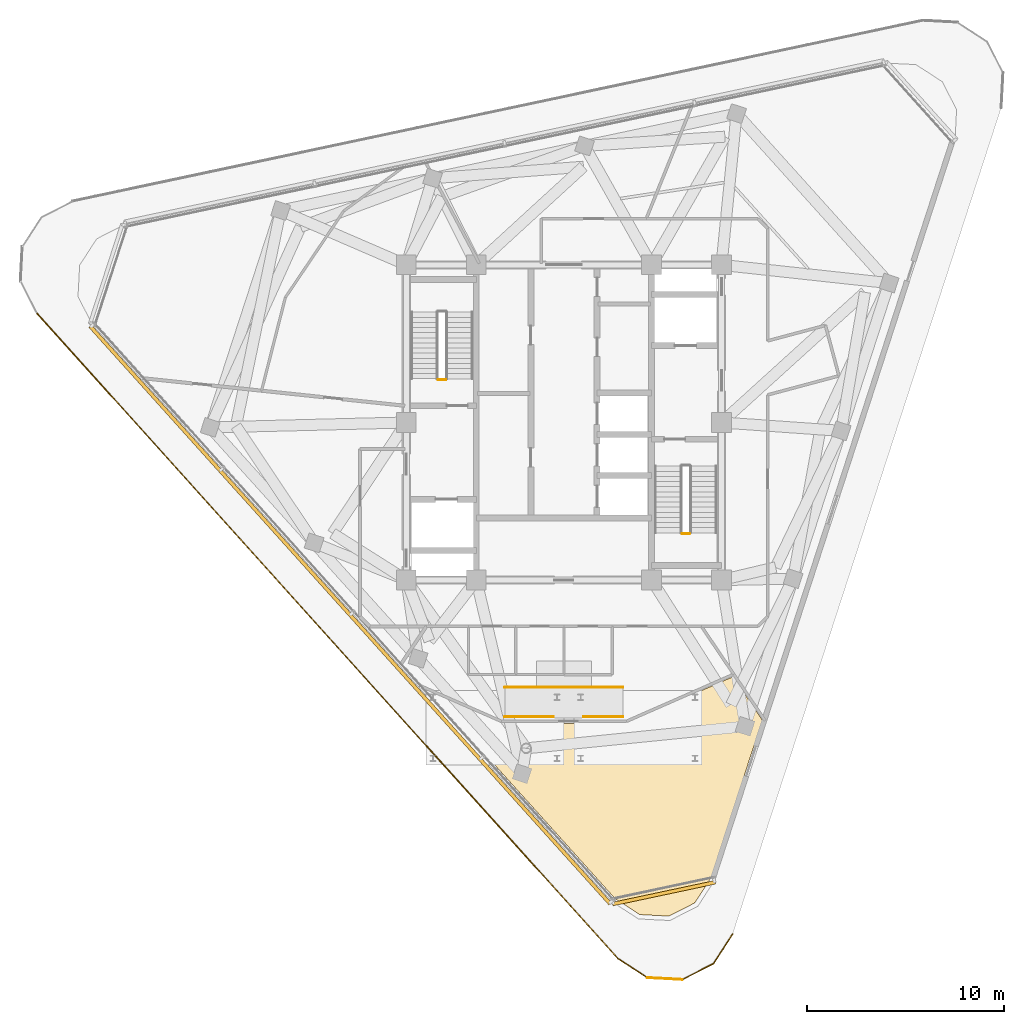
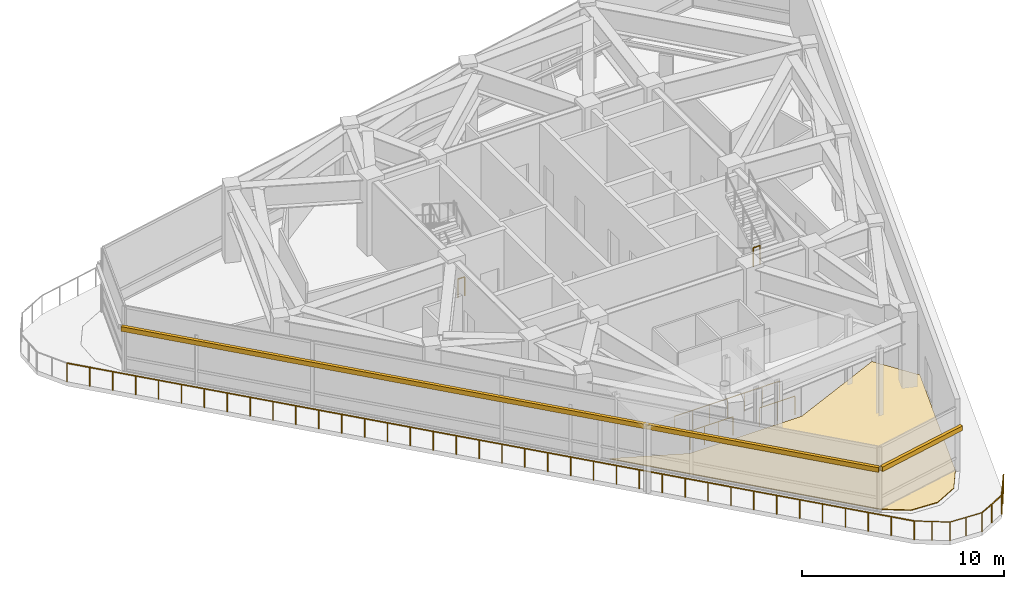
# One storey, part 12 of 15: 10 railings, 2 shading devices, 1 covering.
"""IFC4 building model written with IfcOpenShell, lengths in metres."""

import ifcopenshell
import ifcopenshell.guid

model = None  # the IFC model being written
_history = None  # IfcOwnerHistory: only IFC2X3 demands one
_inside = {}  # id of a spatial element -> (the spatial element, [elements in it])
_under = {}  # id of a project, library or spatial element -> (it, [spatial elements below it])
_declared = {}  # id of a project -> (the project, [libraries it declares])
_typed = {}  # id of a type object -> (the type object, [elements of that type])
_made_of = {}  # id of a material, layer set ... -> (it, [elements and type objects made of it])


def new_model(schema):
    """Start an empty IFC model of exactly this schema.

    Asked for "IFC4X3", IfcOpenShell would pick the latest addendum, in which some entities
    have other attributes; the version numbers below select the first issue.
    IFC2X3 requires an IfcOwnerHistory on every rooted entity: one is made here for all.
    """
    global model, _history
    if schema == "IFC4X3":
        model = ifcopenshell.file(schema_version=(4, 3, 0, 0))
    else:
        model = ifcopenshell.file(schema=schema)
    _inside.clear()
    _under.clear()
    _declared.clear()
    _typed.clear()
    _made_of.clear()
    _history = None
    if model.schema == "IFC2X3":
        org = make("IfcOrganization", Name="unknown")
        user = make(
            "IfcPersonAndOrganization",
            ThePerson=make("IfcPerson", FamilyName="unknown"),
            TheOrganization=org,
        )
        app = make(
            "IfcApplication",
            ApplicationDeveloper=org,
            Version="unknown",
            ApplicationFullName="unknown",
            ApplicationIdentifier="unknown",
        )
        _history = make(
            "IfcOwnerHistory",
            OwningUser=user,
            OwningApplication=app,
            ChangeAction="ADDED",
            CreationDate=0,
        )
    return model


def make(cls, **values):
    """One entity of the class cls with the attributes given. An attribute that is None is left unset."""
    return model.create_entity(
        cls, **{name: value for name, value in values.items() if value is not None}
    )


def rooted(cls, **values):
    """An entity with a GlobalId (a new one), such as an element, a storey or a relation."""
    return make(cls, GlobalId=ifcopenshell.guid.new(), OwnerHistory=_history, **values)


def si_unit(unit_type, name, prefix=None):
    """IfcSIUnit, for example si_unit("LENGTHUNIT", "METRE", prefix="MILLI")."""
    return make("IfcSIUnit", UnitType=unit_type, Prefix=prefix, Name=name)


def assignment(units):
    """IfcUnitAssignment: the units of a project."""
    return None if units is None else make("IfcUnitAssignment", Units=units)


def point(xyz):
    """IfcCartesianPoint."""
    return None if xyz is None else make("IfcCartesianPoint", Coordinates=xyz)


def direction(xyz):
    """IfcDirection."""
    return None if xyz is None else make("IfcDirection", DirectionRatios=xyz)


def frame(location, z_axis=None, x_axis=None):
    """IfcAxis2Placement3D, a coordinate frame: its origin and axes. An axis left out is left unset."""
    return make(
        "IfcAxis2Placement3D",
        Location=point(location),
        Axis=direction(z_axis),
        RefDirection=direction(x_axis),
    )


def frame_2d(location, x_axis=None):
    """IfcAxis2Placement2D, a coordinate frame in the plane: its origin and x axis."""
    return make(
        "IfcAxis2Placement2D", Location=point(location), RefDirection=direction(x_axis)
    )


def origin():
    """The frame at (0, 0, 0) with its axes left unset."""
    return frame((0.0, 0.0, 0.0))


def origin_2d():
    """The frame at (0, 0) in the plane with its x axis left unset."""
    return frame_2d((0.0, 0.0))


def place(relative_to, where):
    """IfcLocalPlacement: puts the frame where relative to a parent placement (None: the world)."""
    return make(
        "IfcLocalPlacement", PlacementRelTo=relative_to, RelativePlacement=where
    )


def context(
    kind, dimensions, precision=None, world=None, true_north=None, identifier=None
):
    """IfcGeometricRepresentationContext, for example the 3D "Model" context."""
    return make(
        "IfcGeometricRepresentationContext",
        ContextIdentifier=identifier,
        ContextType=kind,
        CoordinateSpaceDimension=dimensions,
        Precision=precision,
        WorldCoordinateSystem=world,
        TrueNorth=true_north,
    )


def subcontext(parent, identifier, kind, view, scale=None):
    """IfcGeometricRepresentationSubContext, for example "Body" below "Model"."""
    return make(
        "IfcGeometricRepresentationSubContext",
        ContextIdentifier=identifier,
        ContextType=kind,
        ParentContext=parent,
        TargetScale=scale,
        TargetView=view,
    )


def project(units=None, contexts=None):
    """IfcProject with its units and contexts."""
    return rooted(
        "IfcProject",
        Name="project",
        RepresentationContexts=contexts,
        UnitsInContext=assignment(units),
    )


def spatial(cls, under=None, at=None, **own):
    """A site, building, storey or space (cls), placed at a placement, below another one or the project."""
    s = rooted(cls, ObjectPlacement=at, **own)
    if under is not None:
        _under.setdefault(under.id(), (under, []))[1].append(s)
    return s


def polyline(points):
    """IfcPolyline through the points."""
    return make("IfcPolyline", Points=[point(p) for p in points])


def profile(cls, at=None, kind="AREA", **sizes):
    """A parametric profile (cls). Its sizes go by their IFC names, for example OverallWidth=200.0."""
    return make(cls, ProfileType=kind, Position=at, **sizes)


def rectangle(**sizes):
    """IfcRectangleProfileDef."""
    return profile("IfcRectangleProfileDef", **sizes)


def circle(**sizes):
    """IfcCircleProfileDef."""
    return profile("IfcCircleProfileDef", **sizes)


def outline(outer, holes=None, kind="AREA"):
    """IfcArbitraryClosedProfileDef: a profile drawn as a closed curve; with holes, ...WithVoids."""
    if holes is None:
        return make("IfcArbitraryClosedProfileDef", ProfileType=kind, OuterCurve=outer)
    return make(
        "IfcArbitraryProfileDefWithVoids",
        ProfileType=kind,
        OuterCurve=outer,
        InnerCurves=holes,
    )


def extrude(swept, where, along, depth):
    """IfcExtrudedAreaSolid: the profile swept, set in the frame where, extruded along a direction by depth."""
    return make(
        "IfcExtrudedAreaSolid",
        SweptArea=swept,
        Position=where,
        ExtrudedDirection=direction(along),
        Depth=depth,
    )


def shape(context_of_items, identifier, shape_type, items):
    """IfcShapeRepresentation: the items that make up one representation, for example the "Body"."""
    return make(
        "IfcShapeRepresentation",
        ContextOfItems=context_of_items,
        RepresentationIdentifier=identifier,
        RepresentationType=shape_type,
        Items=items,
    )


def material(Name=None, Category=None):
    """IfcMaterial."""
    return make("IfcMaterial", Name=Name, Category=Category)


def layer(
    of_material, thickness, ventilated=None, Name=None, Category=None, Priority=None
):
    """IfcMaterialLayer: one layer of a wall or slab, of a material (None: an air gap)."""
    return make(
        "IfcMaterialLayer",
        Material=of_material,
        LayerThickness=thickness,
        IsVentilated=ventilated,
        Name=Name,
        Category=Category,
        Priority=Priority,
    )


def layer_set(layers, Name=None):
    """IfcMaterialLayerSet."""
    return make("IfcMaterialLayerSet", MaterialLayers=layers, LayerSetName=Name)


def made_of(thing, what):
    """Note that an element or type object is made of a material, layer set ...; save() writes the relation."""
    if what is not None:
        _made_of.setdefault(what.id(), (what, []))[1].append(thing)
    return thing


def type_object(cls, material=None, **own):
    """A type object (cls), such as IfcWallType, which elements share."""
    return made_of(rooted(cls, **own), material)


def element(
    cls,
    number,
    at=None,
    inside=None,
    cuts=None,
    type_object=None,
    material=None,
    context=None,
    identifier="Body",
    shape_type=None,
    held_by="IfcProductDefinitionShape",
    body=None,
    shapes=None,
    **own,
):
    """One element of the class cls, such as IfcWall. Its Tag is "e" and its number.

    at: its placement. inside: the storey or other place that contains it. cuts: it is an
    opening in that element (IfcRelVoidsElement). A single representation is given by context,
    identifier, shape_type and body (its items); several are given by shapes. held_by: the class
    of the entity that holds the representations. save() writes the other relations.
    """
    e = rooted(cls, Tag="e%d" % number, ObjectPlacement=at, **own)
    if body is not None:
        shapes = [shape(context, identifier, shape_type, body)]
    if shapes is not None:
        e.Representation = make(held_by, Representations=shapes)
    if inside is not None:
        _inside.setdefault(inside.id(), (inside, []))[1].append(e)
    if cuts is not None:
        rooted(
            "IfcRelVoidsElement", RelatingBuildingElement=cuts, RelatedOpeningElement=e
        )
    if type_object is not None:
        _typed.setdefault(type_object.id(), (type_object, []))[1].append(e)
    return made_of(e, material)


def aggregate(whole, parts):
    """IfcRelAggregates: a whole, such as a stair, and the parts it consists of."""
    return rooted("IfcRelAggregates", RelatingObject=whole, RelatedObjects=parts)


def save(model, path):
    """Write the relations noted so far, then the file.

    IfcRelAggregates (storeys below a building ...), IfcRelContainedInSpatialStructure (elements
    in a storey), IfcRelDefinesByType, IfcRelAssociatesMaterial and IfcRelDeclares: one each for
    every whole, place, type object, material and project.
    """
    for whole, parts in _under.values():
        aggregate(whole, parts)
    for where, things in _inside.values():
        rooted(
            "IfcRelContainedInSpatialStructure",
            RelatedElements=things,
            RelatingStructure=where,
        )
    for kind, things in _typed.values():
        rooted("IfcRelDefinesByType", RelatedObjects=things, RelatingType=kind)
    for what, things in _made_of.values():
        rooted("IfcRelAssociatesMaterial", RelatedObjects=things, RelatingMaterial=what)
    for by, libraries in _declared.values():
        rooted("IfcRelDeclares", RelatingContext=by, RelatedDefinitions=libraries)
    model.write(path)


model = new_model("IFC4")

# Units and contexts
model_context = context("Model", 3, precision=1e-05, world=origin(), true_north=direction((0.0, 1.0)))
body_context = subcontext(model_context, "Body", "Model", "MODEL_VIEW")
ifc_project = project(units=[si_unit("LENGTHUNIT", "METRE"), si_unit("AREAUNIT", "SQUARE_METRE"), si_unit("VOLUMEUNIT", "CUBIC_METRE"), si_unit("PLANEANGLEUNIT", "RADIAN"), si_unit("MASSUNIT", "GRAM", prefix="KILO")], contexts=[model_context])

# Site, building, storey
site_placement = place(None, origin())
site = spatial("IfcSite", under=ifc_project, at=site_placement, CompositionType="ELEMENT")
building_placement = place(site_placement, origin())
building = spatial("IfcBuilding", under=site, at=building_placement, Name="Terralouvre Media Tower", CompositionType="ELEMENT")
storey_placement = place(building_placement, frame((0.0, 0.0, 312.800048828125)))
storey = spatial("IfcBuildingStorey", under=building, at=storey_placement, Name="L81", CompositionType="ELEMENT", Elevation=312.800048828125)

# Covering
ifc_material_1 = material(Name="Resilient elastomer acoustic broadcast studio flooring")
ifc_layer_1 = layer(ifc_material_1, 0.050048828125, Name="Broadcast Studio Acoustic Floating Floor FL-AC1")
ifc_layer_set_1 = layer_set([ifc_layer_1], Name="Resilient elastomer acoustic broadcast studio flooring")
covering_type = type_object("IfcCoveringType", Name="Broadcast Studio Acoustic Floating Floor FL-AC1", PredefinedType="FLOORING", material=ifc_layer_set_1)
covering_placement = place(storey_placement, frame((0.0, 0.0, 0.0), z_axis=(0.0, 0.0, 1.0), x_axis=(0.309016994375, 0.951056516295, 0.0)))
element("IfcCovering", 1, at=covering_placement, inside=storey, type_object=covering_type, Name="L81 Crown Botanical Conservatory Garden 4 Acoustic Floating Floor", PredefinedType="FLOORING", context=body_context, shape_type="SweptSolid", body=[
    extrude(outline(polyline([(-13.520751953125, -7.778076171875), (-13.52734375, -7.77001953125), (-13.532958984375, -7.76123046875), (-13.53759765625, -7.751953125), (-13.541259765625, -7.742431640625), (-15.505859375, -1.695556640625), (-15.508544921875, -1.685546875), (-15.51025390625, -1.675537109375), (-15.5107421875, -1.6650390625), (-15.51025390625, -1.65478515625), (-15.116943359375, 2.307861328125), (-22.182373046875, -9.93017578125), (-22.572021484375, -11.38525390625), (-22.189697265625, -12.8115234375), (-21.146484375, -13.85546875), (-19.69140625, -14.2451171875), (-11.25634765625, -14.245361328125), (-9.623779296875, -12.15576171875), (-13.520751953125, -7.778076171875)])), origin(), (0.0, 0.0, 1.0), 0.050048828125),
])

# Railings
ifc_material_2 = material(Name="Stainless steel 316 handrail and balustrade", Category="steel")
ifc_layer_2 = layer(ifc_material_2, 0.06005859375, Name="Roof Edge Safety Guardrail GR-ROOF1")
ifc_layer_set_2 = layer_set([ifc_layer_2], Name="Stainless steel 316 handrail and balustrade")
railing_type_1 = type_object("IfcRailingType", Name="Roof Edge Safety Guardrail GR-ROOF1", PredefinedType="GUARDRAIL", material=ifc_layer_set_2)
railing_1_placement = place(storey_placement, frame((2.73974609375, -27.2177734375, 0.0)))
element("IfcRailing", 2, at=railing_1_placement, inside=storey, type_object=railing_type_1, Name="L81 Crown Roof Garden Perimeter Balustrade Edge 01", PredefinedType="GUARDRAIL", context=body_context, shape_type="SweptSolid", body=[
    extrude(circle(Radius=0.02392578125, at=origin_2d()), frame((0.0, 0.0, 1.1259765625), z_axis=(0.838634635973, -0.544694361406, 0.0), x_axis=(0.544694361406, 0.838634635973, 0.0)), (0.0, 0.0, 1.0), 1.78076171875),
    extrude(circle(Radius=0.02099609375, at=origin_2d()), origin(), (0.0, 0.0, 1.0), 1.101806640625),
    extrude(circle(Radius=0.02099609375, at=origin_2d()), frame((0.74658203125, -0.48486328125, 0.0)), (0.0, 0.0, 1.0), 1.101806640625),
    extrude(circle(Radius=0.02099609375, at=origin_2d()), frame((1.493408203125, -0.969970703125, 0.0)), (0.0, 0.0, 1.0), 1.101806640625),
])
railing_2_placement = place(storey_placement, frame((4.233154296875, -28.187744140625, 0.0)))
element("IfcRailing", 3, at=railing_2_placement, inside=storey, type_object=railing_type_1, Name="L81 Crown Roof Garden Perimeter Balustrade Edge 02", PredefinedType="GUARDRAIL", context=body_context, shape_type="SweptSolid", body=[
    extrude(circle(Radius=0.02392578125, at=origin_2d()), frame((0.0, 0.0, 1.1259765625), z_axis=(0.99863444547, -0.052242169947, 0.0), x_axis=(0.052242169947, 0.99863444547, 0.0)), (0.0, 0.0, 1.0), 1.780517578125),
    extrude(circle(Radius=0.02099609375, at=origin_2d()), origin(), (0.0, 0.0, 1.0), 1.101806640625),
    extrude(circle(Radius=0.02099609375, at=origin_2d()), frame((0.88916015625, -0.04638671875, 0.0)), (0.0, 0.0, 1.0), 1.101806640625),
    extrude(circle(Radius=0.02099609375, at=origin_2d()), frame((1.778076171875, -0.093017578125, 0.0)), (0.0, 0.0, 1.0), 1.101806640625),
])
railing_3_placement = place(storey_placement, frame((6.01123046875, -28.28076171875, 0.0)))
element("IfcRailing", 4, at=railing_3_placement, inside=storey, type_object=railing_type_1, Name="L81 Crown Roof Garden Perimeter Balustrade Edge 03", PredefinedType="GUARDRAIL", context=body_context, shape_type="SweptSolid", body=[
    extrude(circle(Radius=0.02392578125, at=origin_2d()), frame((0.0, 0.0, 1.1259765625), z_axis=(0.891029033742, 0.453946319545, 0.0), x_axis=(-0.453946319545, 0.891029033742, 0.0)), (0.0, 0.0, 1.0), 1.78076171875),
    extrude(circle(Radius=0.02099609375, at=origin_2d()), origin(), (0.0, 0.0, 1.0), 1.101806640625),
    extrude(circle(Radius=0.02099609375, at=origin_2d()), frame((0.79345703125, 0.404296875, 0.0)), (0.0, 0.0, 1.0), 1.101806640625),
    extrude(circle(Radius=0.02099609375, at=origin_2d()), frame((1.586669921875, 0.808349609375, 0.0)), (0.0, 0.0, 1.0), 1.101806640625),
])
railing_4_placement = place(storey_placement, frame((7.597900390625, -27.472412109375, 0.0)))
element("IfcRailing", 5, at=railing_4_placement, inside=storey, type_object=railing_type_1, Name="L81 Crown Roof Garden Perimeter Balustrade Edge 04", PredefinedType="GUARDRAIL", context=body_context, shape_type="SweptSolid", body=[
    extrude(circle(Radius=0.02392578125, at=origin_2d()), frame((0.0, 0.0, 1.1259765625), z_axis=(0.544597927768, 0.838697261872, 0.0), x_axis=(-0.838697261872, 0.544597927768, 0.0)), (0.0, 0.0, 1.0), 1.780517578125),
    extrude(circle(Radius=0.02099609375, at=origin_2d()), origin(), (0.0, 0.0, 1.0), 1.101806640625),
    extrude(circle(Radius=0.02099609375, at=origin_2d()), frame((0.48486328125, 0.74658203125, 0.0)), (0.0, 0.0, 1.0), 1.101806640625),
    extrude(circle(Radius=0.02099609375, at=origin_2d()), frame((0.9697265625, 1.493408203125, 0.0)), (0.0, 0.0, 1.0), 1.101806640625),
])
railing_5_placement = place(storey_placement, frame((-26.782470703125, 5.569580078125, 0.0)))
element("IfcRailing", 6, at=railing_5_placement, inside=storey, type_object=railing_type_1, Name="L81 Crown Roof Garden Perimeter Balustrade Edge 15", PredefinedType="GUARDRAIL", context=body_context, shape_type="SweptSolid", body=[
    extrude(circle(Radius=0.02392578125, at=origin_2d()), frame((0.0, 0.0, 1.1259765625), z_axis=(0.669135001051, -0.743140868455, 0.0), x_axis=(0.743140868455, 0.669135001051, 0.0)), (0.0, 0.0, 1.0), 44.119873046875),
    extrude(circle(Radius=0.02099609375, at=origin_2d()), origin(), (0.0, 0.0, 1.0), 1.101806640625),
    extrude(circle(Radius=0.02099609375, at=origin_2d()), frame((0.7978515625, -0.88623046875, 0.0)), (0.0, 0.0, 1.0), 1.101806640625),
    extrude(circle(Radius=0.02099609375, at=origin_2d()), frame((1.595703125, -1.772216796875, 0.0)), (0.0, 0.0, 1.0), 1.101806640625),
    extrude(circle(Radius=0.02099609375, at=origin_2d()), frame((2.393798828125, -2.658447265625, 0.0)), (0.0, 0.0, 1.0), 1.101806640625),
    extrude(circle(Radius=0.02099609375, at=origin_2d()), frame((3.191650390625, -3.544677734375, 0.0)), (0.0, 0.0, 1.0), 1.101806640625),
    extrude(circle(Radius=0.02099609375, at=origin_2d()), frame((3.989501953125, -4.4306640625, 0.0)), (0.0, 0.0, 1.0), 1.101806640625),
    extrude(circle(Radius=0.02099609375, at=origin_2d()), frame((4.787353515625, -5.31689453125, 0.0)), (0.0, 0.0, 1.0), 1.101806640625),
    extrude(circle(Radius=0.02099609375, at=origin_2d()), frame((5.585205078125, -6.203125, 0.0)), (0.0, 0.0, 1.0), 1.101806640625),
    extrude(circle(Radius=0.02099609375, at=origin_2d()), frame((6.38330078125, -7.089111328125, 0.0)), (0.0, 0.0, 1.0), 1.101806640625),
    extrude(circle(Radius=0.02099609375, at=origin_2d()), frame((7.18115234375, -7.975341796875, 0.0)), (0.0, 0.0, 1.0), 1.101806640625),
    extrude(circle(Radius=0.02099609375, at=origin_2d()), frame((7.97900390625, -8.861328125, 0.0)), (0.0, 0.0, 1.0), 1.101806640625),
    extrude(circle(Radius=0.02099609375, at=origin_2d()), frame((8.77685546875, -9.74755859375, 0.0)), (0.0, 0.0, 1.0), 1.101806640625),
    extrude(circle(Radius=0.02099609375, at=origin_2d()), frame((9.57470703125, -10.6337890625, 0.0)), (0.0, 0.0, 1.0), 1.101806640625),
    extrude(circle(Radius=0.02099609375, at=origin_2d()), frame((10.37255859375, -11.519775390625, 0.0)), (0.0, 0.0, 1.0), 1.101806640625),
    extrude(circle(Radius=0.02099609375, at=origin_2d()), frame((11.170654296875, -12.406005859375, 0.0)), (0.0, 0.0, 1.0), 1.101806640625),
    extrude(circle(Radius=0.02099609375, at=origin_2d()), frame((11.968505859375, -13.292236328125, 0.0)), (0.0, 0.0, 1.0), 1.101806640625),
    extrude(circle(Radius=0.02099609375, at=origin_2d()), frame((12.766357421875, -14.17822265625, 0.0)), (0.0, 0.0, 1.0), 1.101806640625),
    extrude(circle(Radius=0.02099609375, at=origin_2d()), frame((13.564208984375, -15.064453125, 0.0)), (0.0, 0.0, 1.0), 1.101806640625),
    extrude(circle(Radius=0.02099609375, at=origin_2d()), frame((14.362060546875, -15.95068359375, 0.0)), (0.0, 0.0, 1.0), 1.101806640625),
    extrude(circle(Radius=0.02099609375, at=origin_2d()), frame((15.16015625, -16.836669921875, 0.0)), (0.0, 0.0, 1.0), 1.101806640625),
    extrude(circle(Radius=0.02099609375, at=origin_2d()), frame((15.9580078125, -17.722900390625, 0.0)), (0.0, 0.0, 1.0), 1.101806640625),
    extrude(circle(Radius=0.02099609375, at=origin_2d()), frame((16.755859375, -18.609130859375, 0.0)), (0.0, 0.0, 1.0), 1.101806640625),
    extrude(circle(Radius=0.02099609375, at=origin_2d()), frame((17.5537109375, -19.4951171875, 0.0)), (0.0, 0.0, 1.0), 1.101806640625),
    extrude(circle(Radius=0.02099609375, at=origin_2d()), frame((18.3515625, -20.38134765625, 0.0)), (0.0, 0.0, 1.0), 1.101806640625),
    extrude(circle(Radius=0.02099609375, at=origin_2d()), frame((19.149658203125, -21.267578125, 0.0)), (0.0, 0.0, 1.0), 1.101806640625),
    extrude(circle(Radius=0.02099609375, at=origin_2d()), frame((19.947509765625, -22.153564453125, 0.0)), (0.0, 0.0, 1.0), 1.101806640625),
    extrude(circle(Radius=0.02099609375, at=origin_2d()), frame((20.745361328125, -23.039794921875, 0.0)), (0.0, 0.0, 1.0), 1.101806640625),
    extrude(circle(Radius=0.02099609375, at=origin_2d()), frame((21.543212890625, -23.926025390625, 0.0)), (0.0, 0.0, 1.0), 1.101806640625),
    extrude(circle(Radius=0.02099609375, at=origin_2d()), frame((22.341064453125, -24.81201171875, 0.0)), (0.0, 0.0, 1.0), 1.101806640625),
    extrude(circle(Radius=0.02099609375, at=origin_2d()), frame((23.138916015625, -25.6982421875, 0.0)), (0.0, 0.0, 1.0), 1.101806640625),
    extrude(circle(Radius=0.02099609375, at=origin_2d()), frame((23.93701171875, -26.584228515625, 0.0)), (0.0, 0.0, 1.0), 1.101806640625),
    extrude(circle(Radius=0.02099609375, at=origin_2d()), frame((24.73486328125, -27.470458984375, 0.0)), (0.0, 0.0, 1.0), 1.101806640625),
    extrude(circle(Radius=0.02099609375, at=origin_2d()), frame((25.53271484375, -28.356689453125, 0.0)), (0.0, 0.0, 1.0), 1.101806640625),
    extrude(circle(Radius=0.02099609375, at=origin_2d()), frame((26.33056640625, -29.24267578125, 0.0)), (0.0, 0.0, 1.0), 1.101806640625),
    extrude(circle(Radius=0.02099609375, at=origin_2d()), frame((27.12841796875, -30.12890625, 0.0)), (0.0, 0.0, 1.0), 1.101806640625),
    extrude(circle(Radius=0.02099609375, at=origin_2d()), frame((27.926513671875, -31.01513671875, 0.0)), (0.0, 0.0, 1.0), 1.101806640625),
    extrude(circle(Radius=0.02099609375, at=origin_2d()), frame((28.724365234375, -31.901123046875, 0.0)), (0.0, 0.0, 1.0), 1.101806640625),
    extrude(circle(Radius=0.02099609375, at=origin_2d()), frame((29.522216796875, -32.787353515625, 0.0)), (0.0, 0.0, 1.0), 1.101806640625),
])
railing_6_placement = place(storey_placement, frame((-3.0, -13.449951171875, 0.0)))
element("IfcRailing", 7, at=railing_6_placement, inside=storey, type_object=railing_type_1, Name="L81 Conservatory Terrace Accessible Ramp Guardrail L", PredefinedType="GUARDRAIL", context=body_context, shape_type="SweptSolid", body=[
    extrude(circle(Radius=0.02392578125, at=origin_2d()), frame((0.0, 0.0, 1.1259765625), z_axis=(0.999994433635, 0.0, 0.003336569969), x_axis=(0.0, 1.0, 0.0)), (0.0, 0.0, 1.0), 6.0),
    extrude(circle(Radius=0.02099609375, at=origin_2d()), origin(), (0.0, 0.0, 1.0), 1.101806640625),
    extrude(circle(Radius=0.02099609375, at=origin_2d()), frame((1.0, 0.0, 0.00341796875)), (0.0, 0.0, 1.0), 1.101806640625),
    extrude(circle(Radius=0.02099609375, at=origin_2d()), frame((2.0, 0.0, 0.006591796875)), (0.0, 0.0, 1.0), 1.101806640625),
    extrude(circle(Radius=0.02099609375, at=origin_2d()), frame((3.0, 0.0, 0.010009765625)), (0.0, 0.0, 1.0), 1.101806640625),
    extrude(circle(Radius=0.02099609375, at=origin_2d()), frame((4.0, 0.0, 0.013427734375)), (0.0, 0.0, 1.0), 1.101806640625),
    extrude(circle(Radius=0.02099609375, at=origin_2d()), frame((5.0, 0.0, 0.0166015625)), (0.0, 0.0, 1.0), 1.101806640625),
    extrude(circle(Radius=0.02099609375, at=origin_2d()), frame((6.0, 0.0, 0.02001953125)), (0.0, 0.0, 1.0), 1.101806640625),
])
railing_7_placement = place(storey_placement, frame((-3.0, -14.949951171875, 0.0)))
element("IfcRailing", 8, at=railing_7_placement, inside=storey, type_object=railing_type_1, Name="L81 Conservatory Terrace Accessible Ramp Guardrail R", PredefinedType="GUARDRAIL", context=body_context, shape_type="SweptSolid", body=[
    extrude(circle(Radius=0.02392578125, at=origin_2d()), frame((0.0, 0.0, 1.1259765625), z_axis=(0.999994357425, 0.0, 0.003359332887), x_axis=(0.0, 1.0, 0.0)), (0.0, 0.0, 1.0), 2.470947265625),
    extrude(circle(Radius=0.02099609375, at=origin_2d()), origin(), (0.0, 0.0, 1.0), 1.101806640625),
    extrude(circle(Radius=0.02099609375, at=origin_2d()), frame((0.82373046875, 0.0, 0.002685546875)), (0.0, 0.0, 1.0), 1.101806640625),
    extrude(circle(Radius=0.02099609375, at=origin_2d()), frame((1.647216796875, 0.0, 0.005615234375)), (0.0, 0.0, 1.0), 1.101806640625),
    extrude(circle(Radius=0.02099609375, at=origin_2d()), frame((2.470947265625, 0.0, 0.00830078125)), (0.0, 0.0, 1.0), 1.101806640625),
])
railing_8_placement = place(storey_placement, frame((0.990966796875, -14.949951171875, 0.01318359375)))
element("IfcRailing", 9, at=railing_8_placement, inside=storey, type_object=railing_type_1, Name="L81 Conservatory Terrace Accessible Ramp Guardrail R Part 2", PredefinedType="GUARDRAIL", context=body_context, shape_type="SweptSolid", body=[
    extrude(circle(Radius=0.02392578125, at=origin_2d()), frame((0.0, 0.0, 1.1259765625), z_axis=(0.999994211205, 0.0, 0.003402580862), x_axis=(0.0, 1.0, 0.0)), (0.0, 0.0, 1.0), 2.009033203125),
    extrude(circle(Radius=0.02099609375, at=origin_2d()), origin(), (0.0, 0.0, 1.0), 1.101806640625),
    extrude(circle(Radius=0.02099609375, at=origin_2d()), frame((1.00439453125, 0.0, 0.00341796875)), (0.0, 0.0, 1.0), 1.101806640625),
    extrude(circle(Radius=0.02099609375, at=origin_2d()), frame((2.009033203125, 0.0, 0.0068359375)), (0.0, 0.0, 1.0), 1.101806640625),
])
ifc_material_3 = material(Name="Stainless steel 316 handrail and balustrade", Category="steel")
ifc_layer_3 = layer(ifc_material_3, 0.050048828125, Name="Stairwell Safety Guardrail GR-INT1")
ifc_layer_set_3 = layer_set([ifc_layer_3], Name="Stainless steel 316 handrail and balustrade")
railing_type_2 = type_object("IfcRailingType", Name="Stairwell Safety Guardrail GR-INT1", PredefinedType="GUARDRAIL", material=ifc_layer_set_3)
railing_9_placement = place(storey_placement, frame((-6.0, 2.169921875, 0.0)))
element("IfcRailing", 10, at=railing_9_placement, inside=storey, type_object=railing_type_2, Name="L81 ST-01 stair guard 4", PredefinedType="GUARDRAIL", context=body_context, shape_type="SweptSolid", body=[
    extrude(circle(Radius=0.02392578125, at=origin_2d()), frame((0.0, 0.0, 1.1259765625), z_axis=(-1.0, 0.0, 0.0), x_axis=(0.0, -1.0, 0.0)), (0.0, 0.0, 1.0), 0.3798828125),
    extrude(circle(Radius=0.02099609375, at=origin_2d()), origin(), (0.0, 0.0, 1.0), 1.101806640625),
    extrude(circle(Radius=0.02099609375, at=origin_2d()), frame((-0.3798828125, 0.0, 0.0)), (0.0, 0.0, 1.0), 1.101806640625),
])
railing_10_placement = place(storey_placement, frame((6.0, -5.64990234375, 2.300048828125)))
element("IfcRailing", 11, at=railing_10_placement, inside=storey, type_object=railing_type_2, Name="L81 ST-02 stair guard 2", PredefinedType="GUARDRAIL", context=body_context, shape_type="SweptSolid", body=[
    extrude(circle(Radius=0.02392578125, at=origin_2d()), frame((0.0, 0.0, 1.1259765625), z_axis=(1.0, 0.0, 0.0), x_axis=(0.0, 1.0, 0.0)), (0.0, 0.0, 1.0), 0.3798828125),
    extrude(circle(Radius=0.02099609375, at=origin_2d()), origin(), (0.0, 0.0, 1.0), 1.101806640625),
    extrude(circle(Radius=0.02099609375, at=origin_2d()), frame((0.3798828125, 0.0, 0.0)), (0.0, 0.0, 1.0), 1.101806640625),
])

# Shading devices
ifc_material_4 = material(Name="Extruded terracotta baguette sunshade louvres", Category="masonry")
shading_device_type = type_object("IfcShadingDeviceType", Name="Terracotta Baguette Sunshade Louvre Screen TB-LV1", PredefinedType="USERDEFINED", material=ifc_material_4)
shading_device_1_placement = place(storey_placement, frame((-10.85400390625, -9.77294921875, 2.5693359375), z_axis=(0.0, 0.0, 1.0), x_axis=(0.669130754947, -0.743144691688, 0.0)))
element("IfcShadingDevice", 12, at=shading_device_1_placement, inside=storey, type_object=shading_device_type, Name="CW-L81-F2 Terracotta Baguette Sunshade Louvre", ObjectType="BAGUETTE", PredefinedType="USERDEFINED", context=body_context, shape_type="SweptSolid", body=[
    extrude(rectangle(XDim=39.43994140625, YDim=0.179931640625, at=origin_2d()), origin(), (0.0, 0.0, 1.0), 0.280029296875),
])
shading_device_2_placement = place(storey_placement, frame((5.079345703125, -23.896728515625, 2.5693359375), z_axis=(0.0, 0.0, 1.0), x_axis=(0.978147596797, 0.207911709341, 0.0)))
element("IfcShadingDevice", 13, at=shading_device_2_placement, inside=storey, type_object=shading_device_type, Name="CW-L81-C0 Terracotta Baguette Sunshade Louvre", ObjectType="BAGUETTE", PredefinedType="USERDEFINED", context=body_context, shape_type="SweptSolid", body=[
    extrude(rectangle(XDim=5.334716796875, YDim=0.179931640625, at=origin_2d()), origin(), (0.0, 0.0, 1.0), 0.280029296875),
])

save(model, "model.ifc")
